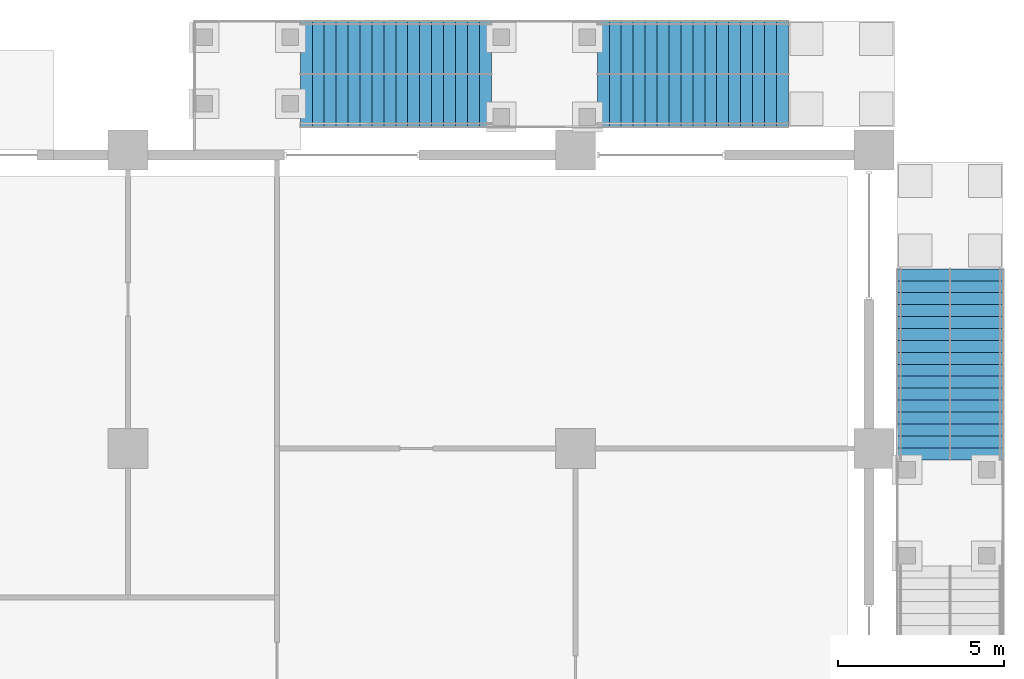
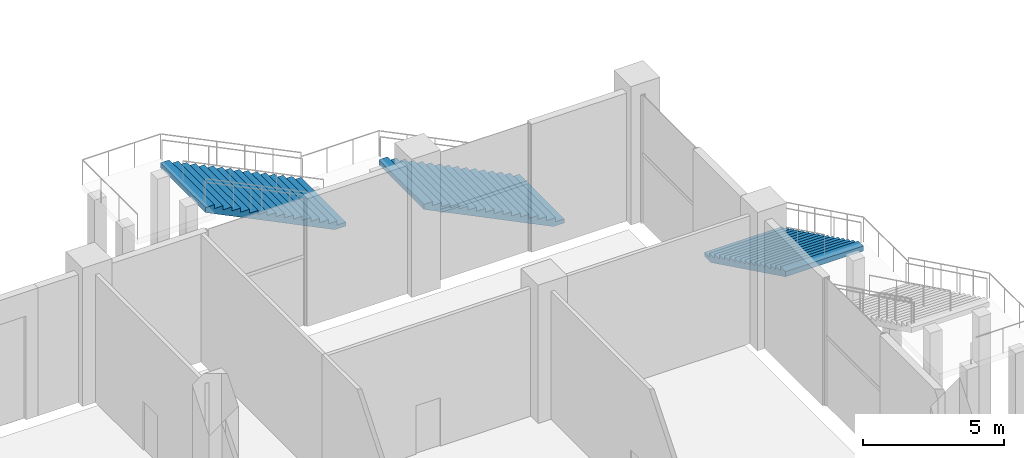
# One storey, part 39 of 68: 3 stair flights, 2 elements without a shape of their own.
"""IFC4 building model written with IfcOpenShell, lengths in metres."""

import ifcopenshell
import ifcopenshell.guid

model = None  # the IFC model being written
_history = None  # IfcOwnerHistory: only IFC2X3 demands one
_inside = {}  # id of a spatial element -> (the spatial element, [elements in it])
_under = {}  # id of a project, library or spatial element -> (it, [spatial elements below it])
_declared = {}  # id of a project -> (the project, [libraries it declares])
_typed = {}  # id of a type object -> (the type object, [elements of that type])
_made_of = {}  # id of a material, layer set ... -> (it, [elements and type objects made of it])


def new_model(schema):
    """Start an empty IFC model of exactly this schema.

    Asked for "IFC4X3", IfcOpenShell would pick the latest addendum, in which some entities
    have other attributes; the version numbers below select the first issue.
    IFC2X3 requires an IfcOwnerHistory on every rooted entity: one is made here for all.
    """
    global model, _history
    if schema == "IFC4X3":
        model = ifcopenshell.file(schema_version=(4, 3, 0, 0))
    else:
        model = ifcopenshell.file(schema=schema)
    _inside.clear()
    _under.clear()
    _declared.clear()
    _typed.clear()
    _made_of.clear()
    _history = None
    if model.schema == "IFC2X3":
        org = make("IfcOrganization", Name="unknown")
        user = make(
            "IfcPersonAndOrganization",
            ThePerson=make("IfcPerson", FamilyName="unknown"),
            TheOrganization=org,
        )
        app = make(
            "IfcApplication",
            ApplicationDeveloper=org,
            Version="unknown",
            ApplicationFullName="unknown",
            ApplicationIdentifier="unknown",
        )
        _history = make(
            "IfcOwnerHistory",
            OwningUser=user,
            OwningApplication=app,
            ChangeAction="ADDED",
            CreationDate=0,
        )
    return model


def make(cls, **values):
    """One entity of the class cls with the attributes given. An attribute that is None is left unset."""
    return model.create_entity(
        cls, **{name: value for name, value in values.items() if value is not None}
    )


def rooted(cls, **values):
    """An entity with a GlobalId (a new one), such as an element, a storey or a relation."""
    return make(cls, GlobalId=ifcopenshell.guid.new(), OwnerHistory=_history, **values)


def si_unit(unit_type, name, prefix=None):
    """IfcSIUnit, for example si_unit("LENGTHUNIT", "METRE", prefix="MILLI")."""
    return make("IfcSIUnit", UnitType=unit_type, Prefix=prefix, Name=name)


def assignment(units):
    """IfcUnitAssignment: the units of a project."""
    return None if units is None else make("IfcUnitAssignment", Units=units)


def point(xyz):
    """IfcCartesianPoint."""
    return None if xyz is None else make("IfcCartesianPoint", Coordinates=xyz)


def direction(xyz):
    """IfcDirection."""
    return None if xyz is None else make("IfcDirection", DirectionRatios=xyz)


def frame(location, z_axis=None, x_axis=None):
    """IfcAxis2Placement3D, a coordinate frame: its origin and axes. An axis left out is left unset."""
    return make(
        "IfcAxis2Placement3D",
        Location=point(location),
        Axis=direction(z_axis),
        RefDirection=direction(x_axis),
    )


def origin():
    """The frame at (0, 0, 0) with its axes left unset."""
    return frame((0.0, 0.0, 0.0))


def place(relative_to, where):
    """IfcLocalPlacement: puts the frame where relative to a parent placement (None: the world)."""
    return make(
        "IfcLocalPlacement", PlacementRelTo=relative_to, RelativePlacement=where
    )


def context(
    kind, dimensions, precision=None, world=None, true_north=None, identifier=None
):
    """IfcGeometricRepresentationContext, for example the 3D "Model" context."""
    return make(
        "IfcGeometricRepresentationContext",
        ContextIdentifier=identifier,
        ContextType=kind,
        CoordinateSpaceDimension=dimensions,
        Precision=precision,
        WorldCoordinateSystem=world,
        TrueNorth=true_north,
    )


def subcontext(parent, identifier, kind, view, scale=None):
    """IfcGeometricRepresentationSubContext, for example "Body" below "Model"."""
    return make(
        "IfcGeometricRepresentationSubContext",
        ContextIdentifier=identifier,
        ContextType=kind,
        ParentContext=parent,
        TargetScale=scale,
        TargetView=view,
    )


def project(units=None, contexts=None):
    """IfcProject with its units and contexts."""
    return rooted(
        "IfcProject",
        Name="project",
        RepresentationContexts=contexts,
        UnitsInContext=assignment(units),
    )


def spatial(cls, under=None, at=None, **own):
    """A site, building, storey or space (cls), placed at a placement, below another one or the project."""
    s = rooted(cls, ObjectPlacement=at, **own)
    if under is not None:
        _under.setdefault(under.id(), (under, []))[1].append(s)
    return s


def polyline(points):
    """IfcPolyline through the points."""
    return make("IfcPolyline", Points=[point(p) for p in points])


def outline(outer, holes=None, kind="AREA"):
    """IfcArbitraryClosedProfileDef: a profile drawn as a closed curve; with holes, ...WithVoids."""
    if holes is None:
        return make("IfcArbitraryClosedProfileDef", ProfileType=kind, OuterCurve=outer)
    return make(
        "IfcArbitraryProfileDefWithVoids",
        ProfileType=kind,
        OuterCurve=outer,
        InnerCurves=holes,
    )


def extrude(swept, where, along, depth):
    """IfcExtrudedAreaSolid: the profile swept, set in the frame where, extruded along a direction by depth."""
    return make(
        "IfcExtrudedAreaSolid",
        SweptArea=swept,
        Position=where,
        ExtrudedDirection=direction(along),
        Depth=depth,
    )


def shape(context_of_items, identifier, shape_type, items):
    """IfcShapeRepresentation: the items that make up one representation, for example the "Body"."""
    return make(
        "IfcShapeRepresentation",
        ContextOfItems=context_of_items,
        RepresentationIdentifier=identifier,
        RepresentationType=shape_type,
        Items=items,
    )


def material(Name=None, Category=None):
    """IfcMaterial."""
    return make("IfcMaterial", Name=Name, Category=Category)


def made_of(thing, what):
    """Note that an element or type object is made of a material, layer set ...; save() writes the relation."""
    if what is not None:
        _made_of.setdefault(what.id(), (what, []))[1].append(thing)
    return thing


def type_object(cls, material=None, **own):
    """A type object (cls), such as IfcWallType, which elements share."""
    return made_of(rooted(cls, **own), material)


def element(
    cls,
    number,
    at=None,
    inside=None,
    cuts=None,
    type_object=None,
    material=None,
    context=None,
    identifier="Body",
    shape_type=None,
    held_by="IfcProductDefinitionShape",
    body=None,
    shapes=None,
    **own,
):
    """One element of the class cls, such as IfcWall. Its Tag is "e" and its number.

    at: its placement. inside: the storey or other place that contains it. cuts: it is an
    opening in that element (IfcRelVoidsElement). A single representation is given by context,
    identifier, shape_type and body (its items); several are given by shapes. held_by: the class
    of the entity that holds the representations. save() writes the other relations.
    """
    e = rooted(cls, Tag="e%d" % number, ObjectPlacement=at, **own)
    if body is not None:
        shapes = [shape(context, identifier, shape_type, body)]
    if shapes is not None:
        e.Representation = make(held_by, Representations=shapes)
    if inside is not None:
        _inside.setdefault(inside.id(), (inside, []))[1].append(e)
    if cuts is not None:
        rooted(
            "IfcRelVoidsElement", RelatingBuildingElement=cuts, RelatedOpeningElement=e
        )
    if type_object is not None:
        _typed.setdefault(type_object.id(), (type_object, []))[1].append(e)
    return made_of(e, material)


def aggregate(whole, parts):
    """IfcRelAggregates: a whole, such as a stair, and the parts it consists of."""
    return rooted("IfcRelAggregates", RelatingObject=whole, RelatedObjects=parts)


def save(model, path):
    """Write the relations noted so far, then the file.

    IfcRelAggregates (storeys below a building ...), IfcRelContainedInSpatialStructure (elements
    in a storey), IfcRelDefinesByType, IfcRelAssociatesMaterial and IfcRelDeclares: one each for
    every whole, place, type object, material and project.
    """
    for whole, parts in _under.values():
        aggregate(whole, parts)
    for where, things in _inside.values():
        rooted(
            "IfcRelContainedInSpatialStructure",
            RelatedElements=things,
            RelatingStructure=where,
        )
    for kind, things in _typed.values():
        rooted("IfcRelDefinesByType", RelatedObjects=things, RelatingType=kind)
    for what, things in _made_of.values():
        rooted("IfcRelAssociatesMaterial", RelatedObjects=things, RelatingMaterial=what)
    for by, libraries in _declared.values():
        rooted("IfcRelDeclares", RelatingContext=by, RelatedDefinitions=libraries)
    model.write(path)


model = new_model("IFC4")

# Units and contexts
model_context = context("Model", 3, precision=1e-05, world=origin(), true_north=direction((0.0, 1.0)))
body_context = subcontext(model_context, "Body", "Model", "MODEL_VIEW")
ifc_project = project(units=[si_unit("LENGTHUNIT", "METRE"), si_unit("AREAUNIT", "SQUARE_METRE"), si_unit("VOLUMEUNIT", "CUBIC_METRE"), si_unit("PLANEANGLEUNIT", "RADIAN"), si_unit("MASSUNIT", "GRAM", prefix="KILO")], contexts=[model_context])

# Site, building, storey
site_placement = place(None, origin())
site = spatial("IfcSite", under=ifc_project, at=site_placement, CompositionType="ELEMENT")
building_placement = place(site_placement, origin())
building = spatial("IfcBuilding", under=site, at=building_placement, Name="Altepetl Exchange Towers", CompositionType="ELEMENT")
storey_placement = place(building_placement, origin())
storey = spatial("IfcBuildingStorey", under=building, at=storey_placement, Name="L00 Ground concourse", CompositionType="ELEMENT", Elevation=0.0)

# Stair, stair flight
ifc_material = material(Name="Reinforced concrete C35/45", Category="concrete")
stair_type = type_object("IfcStairType", Name="Exit garden steps 3200", PredefinedType="TWO_STRAIGHT_RUN_STAIR", material=ifc_material)
stair_1_placement = place(storey_placement, origin())
stair_1 = element("IfcStair", 1, at=stair_1_placement, inside=storey, type_object=stair_type, Name="ST-G6 exit garden steps", PredefinedType="TWO_STRAIGHT_RUN_STAIR")
stair_flight_type = type_object("IfcStairFlightType", Name="Exit garden steps flight 3200", PredefinedType="STRAIGHT", material=ifc_material)
stair_flight_1_placement = place(storey_placement, frame((155.300048828125, 95.419921875, 0.0), z_axis=(0.0, 0.0, 1.0), x_axis=(0.0, -1.0, 0.0)))
stair_flight_1 = element("IfcStairFlight", 2, at=stair_flight_1_placement, type_object=stair_flight_type, Name="ST-G6 flight 2", NumberOfRisers=17, NumberOfTreads=16, PredefinedType="STRAIGHT", RiserHeight=0.176471, TreadLength=0.36, context=body_context, shape_type="SweptSolid", body=[
    extrude(outline(polyline([(0.0, 0.0), (0.0, 0.176513671875), (0.360107421875, 0.176513671875), (0.360107421875, 0.35302734375), (0.719970703125, 0.35302734375), (0.719970703125, 0.529296875), (1.080078125, 0.529296875), (1.080078125, 0.705810546875), (1.43994140625, 0.705810546875), (1.43994140625, 0.88232421875), (1.800048828125, 0.88232421875), (1.800048828125, 1.058837890625), (2.159912109375, 1.058837890625), (2.159912109375, 1.2353515625), (2.52001953125, 1.2353515625), (2.52001953125, 1.411865234375), (2.8798828125, 1.411865234375), (2.8798828125, 1.588134765625), (3.239990234375, 1.588134765625), (3.239990234375, 1.7646484375), (3.60009765625, 1.7646484375), (3.60009765625, 1.941162109375), (3.9599609375, 1.941162109375), (3.9599609375, 2.11767578125), (4.320068359375, 2.11767578125), (4.320068359375, 2.294189453125), (4.679931640625, 2.294189453125), (4.679931640625, 2.470703125), (5.0400390625, 2.470703125), (5.0400390625, 2.64697265625), (5.39990234375, 2.64697265625), (5.39990234375, 2.823486328125), (5.760009765625, 2.823486328125), (5.760009765625, 3.0), (5.760009765625, 2.600830078125), (0.454345703125, 0.0), (0.0, 0.0)])), frame((0.0, 1.60009765625, 0.0), z_axis=(0.0, -1.0, 0.0), x_axis=(1.0, 0.0, 0.0)), (0.0, 0.0, 1.0), 3.199951171875),
])
aggregate(stair_1, [stair_flight_1])

# Stair, stair flights
stair_2_placement = place(storey_placement, origin())
stair_2 = element("IfcStair", 3, at=stair_2_placement, inside=storey, type_object=stair_type, Name="ST-G11 exit garden steps", PredefinedType="TWO_STRAIGHT_RUN_STAIR")
stair_flight_2_placement = place(storey_placement, frame((141.4599609375, 101.300048828125, 3.0), z_axis=(0.0, 0.0, 1.0), x_axis=(-1.0, 0.0, 0.0)))
stair_flight_2 = element("IfcStairFlight", 4, at=stair_flight_2_placement, type_object=stair_flight_type, Name="ST-G11 flight 1", NumberOfRisers=17, NumberOfTreads=16, PredefinedType="STRAIGHT", RiserHeight=0.176471, TreadLength=0.36, context=body_context, shape_type="SweptSolid", body=[
    extrude(outline(polyline([(0.0, 0.0), (0.0, 0.176513671875), (0.360107421875, 0.176513671875), (0.360107421875, 0.35302734375), (0.719970703125, 0.35302734375), (0.719970703125, 0.529296875), (1.080078125, 0.529296875), (1.080078125, 0.705810546875), (1.43994140625, 0.705810546875), (1.43994140625, 0.88232421875), (1.800048828125, 0.88232421875), (1.800048828125, 1.058837890625), (2.159912109375, 1.058837890625), (2.159912109375, 1.2353515625), (2.52001953125, 1.2353515625), (2.52001953125, 1.411865234375), (2.8798828125, 1.411865234375), (2.8798828125, 1.588134765625), (3.239990234375, 1.588134765625), (3.239990234375, 1.7646484375), (3.60009765625, 1.7646484375), (3.60009765625, 1.941162109375), (3.9599609375, 1.941162109375), (3.9599609375, 2.11767578125), (4.320068359375, 2.11767578125), (4.320068359375, 2.294189453125), (4.679931640625, 2.294189453125), (4.679931640625, 2.470703125), (5.0400390625, 2.470703125), (5.0400390625, 2.64697265625), (5.39990234375, 2.64697265625), (5.39990234375, 2.823486328125), (5.760009765625, 2.823486328125), (5.760009765625, 3.0), (5.760009765625, 2.600830078125), (0.454345703125, 0.0), (0.0, 0.0)])), frame((0.0, 1.60009765625, 0.0), z_axis=(0.0, -1.0, 0.0), x_axis=(1.0, 0.0, 0.0)), (0.0, 0.0, 1.0), 3.199951171875),
])
stair_flight_3_placement = place(storey_placement, frame((150.419921875, 101.300048828125, 0.0), z_axis=(0.0, 0.0, 1.0), x_axis=(-1.0, 0.0, 0.0)))
stair_flight_3 = element("IfcStairFlight", 5, at=stair_flight_3_placement, type_object=stair_flight_type, Name="ST-G11 flight 2", NumberOfRisers=17, NumberOfTreads=16, PredefinedType="STRAIGHT", RiserHeight=0.176471, TreadLength=0.36, context=body_context, shape_type="SweptSolid", body=[
    extrude(outline(polyline([(0.0, 0.0), (0.0, 0.176513671875), (0.360107421875, 0.176513671875), (0.360107421875, 0.35302734375), (0.719970703125, 0.35302734375), (0.719970703125, 0.529296875), (1.080078125, 0.529296875), (1.080078125, 0.705810546875), (1.43994140625, 0.705810546875), (1.43994140625, 0.88232421875), (1.800048828125, 0.88232421875), (1.800048828125, 1.058837890625), (2.159912109375, 1.058837890625), (2.159912109375, 1.2353515625), (2.52001953125, 1.2353515625), (2.52001953125, 1.411865234375), (2.8798828125, 1.411865234375), (2.8798828125, 1.588134765625), (3.239990234375, 1.588134765625), (3.239990234375, 1.7646484375), (3.60009765625, 1.7646484375), (3.60009765625, 1.941162109375), (3.9599609375, 1.941162109375), (3.9599609375, 2.11767578125), (4.320068359375, 2.11767578125), (4.320068359375, 2.294189453125), (4.679931640625, 2.294189453125), (4.679931640625, 2.470703125), (5.0400390625, 2.470703125), (5.0400390625, 2.64697265625), (5.39990234375, 2.64697265625), (5.39990234375, 2.823486328125), (5.760009765625, 2.823486328125), (5.760009765625, 3.0), (5.760009765625, 2.600830078125), (0.454345703125, 0.0), (0.0, 0.0)])), frame((0.0, 1.60009765625, 0.0), z_axis=(0.0, -1.0, 0.0), x_axis=(1.0, 0.0, 0.0)), (0.0, 0.0, 1.0), 3.199951171875),
])
aggregate(stair_2, [stair_flight_2, stair_flight_3])

save(model, "model.ifc")
